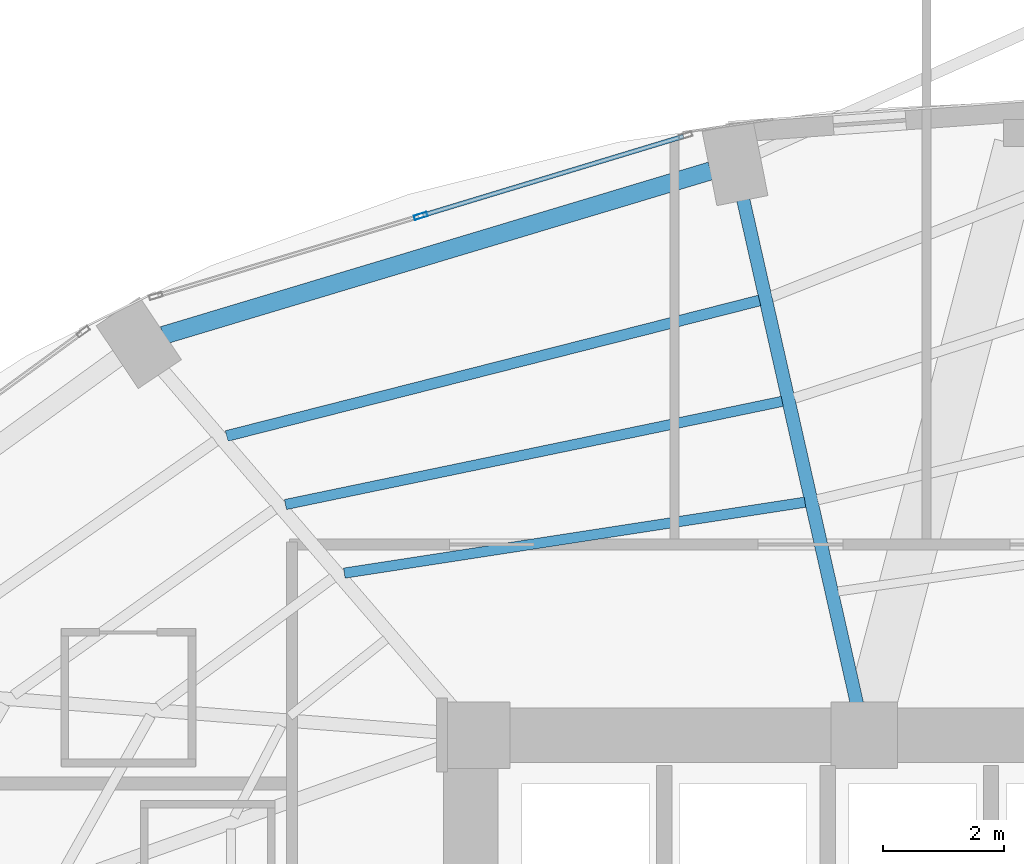
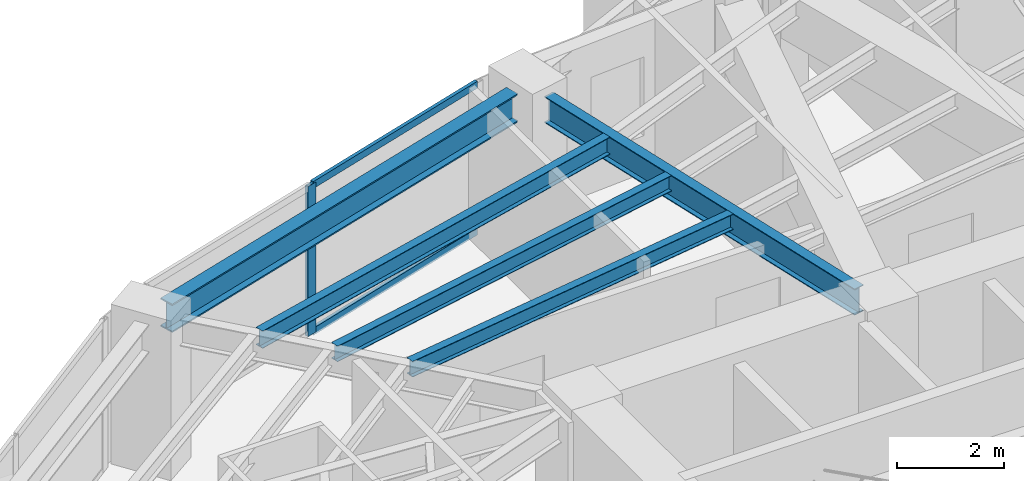
# One storey, part 14 of 25: 5 beams, 3 members, 1 element without a shape of its own.
"""IFC4 building model written with IfcOpenShell, lengths in metres."""

from ifc_helpers import new_model, si_unit, direction, frame, origin, origin_2d, place, context, subcontext, project, spatial, hollow_rectangle, i_section, extrude, material, layer, layer_set, material_profile, profile_set, type_object, element, aggregate, save


model = new_model("IFC4")

# Units and contexts
model_context = context("Model", 3, precision=1e-05, world=origin(), true_north=direction((0.0, 1.0)))
body_context = subcontext(model_context, "Body", "Model", "MODEL_VIEW")
ifc_project = project(units=[si_unit("LENGTHUNIT", "METRE"), si_unit("AREAUNIT", "SQUARE_METRE"), si_unit("VOLUMEUNIT", "CUBIC_METRE"), si_unit("PLANEANGLEUNIT", "RADIAN"), si_unit("MASSUNIT", "GRAM", prefix="KILO")], contexts=[model_context])

# Site, building, storey
site_placement = place(None, origin())
site = spatial("IfcSite", under=ifc_project, at=site_placement, CompositionType="ELEMENT")
building_placement = place(site_placement, origin())
building = spatial("IfcBuilding", under=site, at=building_placement, Name="Lazwardi Medical Tower", CompositionType="ELEMENT")
storey_placement = place(building_placement, frame((0.0, 0.0, 32.49609375)))
storey = spatial("IfcBuildingStorey", under=building, at=storey_placement, Name="L07", CompositionType="ELEMENT", Elevation=32.49609375)

# Beams
ifc_material_1 = material(Name="Steel S355", Category="steel")
ifc_material_profile_1 = material_profile(ifc_material_1, i_section(OverallWidth=0.300048828125, OverallDepth=0.64990234375, WebThickness=0.01611328125, FlangeThickness=0.031005859375, at=origin_2d()), Name="HEB 650")
ifc_profile_set_1 = profile_set([ifc_material_profile_1], Name="Steel S355")
beam_type_1 = type_object("IfcBeamType", Name="BM-RB-Z1", PredefinedType="BEAM", material=ifc_profile_set_1)
beam_1_placement = place(storey_placement, frame((30.26708984375, 44.923095703125, 3.10302734375), z_axis=(-0.957695289269, -0.287784177662, 0.0), x_axis=(0.287784177662, -0.957695289269, 0.0)))
element("IfcBeam", 1, at=beam_1_placement, inside=storey, type_object=beam_type_1, Name="Ring beam RB-02 B09 L07", PredefinedType="BEAM", context=body_context, shape_type="SweptSolid", body=[
    extrude(i_section(OverallWidth=0.300048828125, OverallDepth=0.64990234375, WebThickness=0.01611328125, FlangeThickness=0.031005859375, at=origin_2d()), origin(), (0.0, 0.0, 1.0), 9.445556640625),
])
ifc_material_profile_2 = material_profile(ifc_material_1, i_section(OverallWidth=0.219970703125, OverallDepth=0.60009765625, WebThickness=0.011962890625, FlangeThickness=0.01904296875, at=origin_2d()), Name="IPE 600")
ifc_profile_set_2 = profile_set([ifc_material_profile_2], Name="Steel S355")
beam_type_2 = type_object("IfcBeamType", Name="BM-RG-W1", PredefinedType="BEAM", material=ifc_profile_set_2)
beam_2_placement = place(storey_placement, frame((30.796875, 44.478271484375, 3.1279296875), z_axis=(0.22010079219, -0.975477135189, 0.0), x_axis=(0.975477135189, 0.22010079219, 0.0)))
element("IfcBeam", 2, at=beam_2_placement, inside=storey, type_object=beam_type_2, Name="Radial girder RG-02 R09 L07", PredefinedType="BEAM", context=body_context, shape_type="SweptSolid", body=[
    extrude(i_section(OverallWidth=0.219970703125, OverallDepth=0.60009765625, WebThickness=0.011962890625, FlangeThickness=0.01904296875, at=origin_2d()), origin(), (0.0, 0.0, 1.0), 8.56640625),
])
ifc_material_profile_3 = material_profile(ifc_material_1, i_section(OverallWidth=0.179931640625, OverallDepth=0.39990234375, WebThickness=0.008544921875, FlangeThickness=0.013427734375, at=origin_2d()), Name="IPE 400")
ifc_profile_set_3 = profile_set([ifc_material_profile_3], Name="Steel S355")
beam_type_3 = type_object("IfcBeamType", Name="BM-SJ-01", PredefinedType="JOIST", material=ifc_profile_set_3)
beam_3_placement = place(storey_placement, frame((31.072265625, 42.781005859375, 3.22802734375), z_axis=(-0.969151012048, -0.246467677081, 0.0), x_axis=(0.246467677081, -0.969151012048, 0.0)))
element("IfcBeam", 3, at=beam_3_placement, inside=storey, type_object=beam_type_3, Name="Secondary joist SJ-01 R1 B09 L07", PredefinedType="JOIST", context=body_context, shape_type="SweptSolid", body=[
    extrude(i_section(OverallWidth=0.179931640625, OverallDepth=0.39990234375, WebThickness=0.008544921875, FlangeThickness=0.013427734375, at=origin_2d()), origin(), (0.0, 0.0, 1.0), 9.08251953125),
])
ifc_material_profile_4 = material_profile(ifc_material_1, i_section(OverallWidth=0.169921875, OverallDepth=0.360107421875, WebThickness=0.008056640625, FlangeThickness=0.0126953125, at=origin_2d()), Name="IPE 360")
ifc_profile_set_4 = profile_set([ifc_material_profile_4], Name="Steel S355")
beam_type_4 = type_object("IfcBeamType", Name="BM-SJ-02", PredefinedType="JOIST", material=ifc_profile_set_4)
beam_4_placement = place(storey_placement, frame((31.4482421875, 41.114501953125, 3.247802734375), z_axis=(-0.979107693723, -0.203342381445, 0.0), x_axis=(0.203342381445, -0.979107693723, 0.0)))
element("IfcBeam", 4, at=beam_4_placement, inside=storey, type_object=beam_type_4, Name="Secondary joist SJ-02 R2 B09 L07", PredefinedType="JOIST", context=body_context, shape_type="SweptSolid", body=[
    extrude(i_section(OverallWidth=0.169921875, OverallDepth=0.360107421875, WebThickness=0.008056640625, FlangeThickness=0.0126953125, at=origin_2d()), origin(), (0.0, 0.0, 1.0), 8.381591796875),
])
beam_5_placement = place(storey_placement, frame((31.824462890625, 39.448486328125, 3.247802734375), z_axis=(-0.988362899594, -0.152114360618, 0.0), x_axis=(0.152114360618, -0.988362899594, 0.0)))
element("IfcBeam", 5, at=beam_5_placement, inside=storey, type_object=beam_type_4, Name="Secondary joist SJ-02 R3 B09 L07", PredefinedType="JOIST", context=body_context, shape_type="SweptSolid", body=[
    extrude(i_section(OverallWidth=0.169921875, OverallDepth=0.360107421875, WebThickness=0.008056640625, FlangeThickness=0.0126953125, at=origin_2d()), origin(), (0.0, 0.0, 1.0), 7.70068359375),
])

# Curtain wall, members
ifc_material_2 = material(Name="Anodised bronze aluminium and solar control glazing", Category="aluminium")
ifc_layer = layer(ifc_material_2, 0.199951171875)
ifc_layer_set = layer_set([ifc_layer], Name="Anodised bronze aluminium and solar control glazing")
curtain_wall_type = type_object("IfcCurtainWallType", Name="CW-SYS-02", PredefinedType="NOTDEFINED", material=ifc_layer_set)
curtain_wall_placement = place(storey_placement, origin())
curtain_wall = element("IfcCurtainWall", 6, at=curtain_wall_placement, inside=storey, type_object=curtain_wall_type, Name="L07 Unitised bronze curtain wall CW-02", PredefinedType="NOTDEFINED")
ifc_material_3 = material(Name="Anodised bronze aluminium", Category="aluminium")
ifc_material_profile_5 = material_profile(ifc_material_3, hollow_rectangle(XDim=0.074951171875, YDim=0.219970703125, WallThickness=0.00390625, at=origin_2d()), Name="ALU-MULLION 220x75x4")
ifc_profile_set_5 = profile_set([ifc_material_profile_5], Name="Anodised bronze aluminium")
member_type_1 = type_object("IfcMemberType", Name="CW-MUL-01", PredefinedType="MULLION", material=ifc_profile_set_5)
member_1_placement = place(storey_placement, frame((25.476806640625, 44.178466796875, 0.0), z_axis=(0.0, 0.0, 1.0), x_axis=(0.2898956909, -0.957058247129, 0.0)))
member_1 = element("IfcMember", 7, at=member_1_placement, type_object=member_type_1, Name="CW-02 mullion 2", PredefinedType="MULLION", context=body_context, shape_type="SweptSolid", body=[
    extrude(hollow_rectangle(XDim=0.074951171875, YDim=0.219970703125, WallThickness=0.00390625, at=origin_2d()), origin(), (0.0, 0.0, 1.0), 3.427978515625),
])
ifc_material_profile_6 = material_profile(ifc_material_3, hollow_rectangle(XDim=0.074951171875, YDim=0.159912109375, WallThickness=0.00390625, at=origin_2d()), Name="ALU-TRANSOM 160x75x4")
ifc_profile_set_6 = profile_set([ifc_material_profile_6], Name="Anodised bronze aluminium")
member_type_2 = type_object("IfcMemberType", Name="CW-TRN-01", PredefinedType="USERDEFINED", material=ifc_profile_set_6)
member_2_placement = place(storey_placement, frame((29.816162109375, 45.492919921875, 0.037353515625), z_axis=(-0.957047233423, -0.28993204893, 0.0), x_axis=(0.28993204893, -0.957047233423, 0.0)))
member_2 = element("IfcMember", 8, at=member_2_placement, type_object=member_type_2, Name="CW-02 transom 1.1", ObjectType="TRANSOM", PredefinedType="USERDEFINED", context=body_context, shape_type="SweptSolid", body=[
    extrude(hollow_rectangle(XDim=0.074951171875, YDim=0.159912109375, WallThickness=0.00390625, at=origin_2d()), origin(), (0.0, 0.0, 1.0), 4.49658203125),
])
member_3_placement = place(storey_placement, frame((29.816162109375, 45.492919921875, 3.390380859375), z_axis=(-0.957047233423, -0.28993204893, 0.0), x_axis=(0.28993204893, -0.957047233423, 0.0)))
member_3 = element("IfcMember", 9, at=member_3_placement, type_object=member_type_2, Name="CW-02 transom 1.2", ObjectType="TRANSOM", PredefinedType="USERDEFINED", context=body_context, shape_type="SweptSolid", body=[
    extrude(hollow_rectangle(XDim=0.074951171875, YDim=0.159912109375, WallThickness=0.00390625, at=origin_2d()), origin(), (0.0, 0.0, 1.0), 4.49658203125),
])
aggregate(curtain_wall, [member_1, member_2, member_3])

save(model, "model.ifc")
